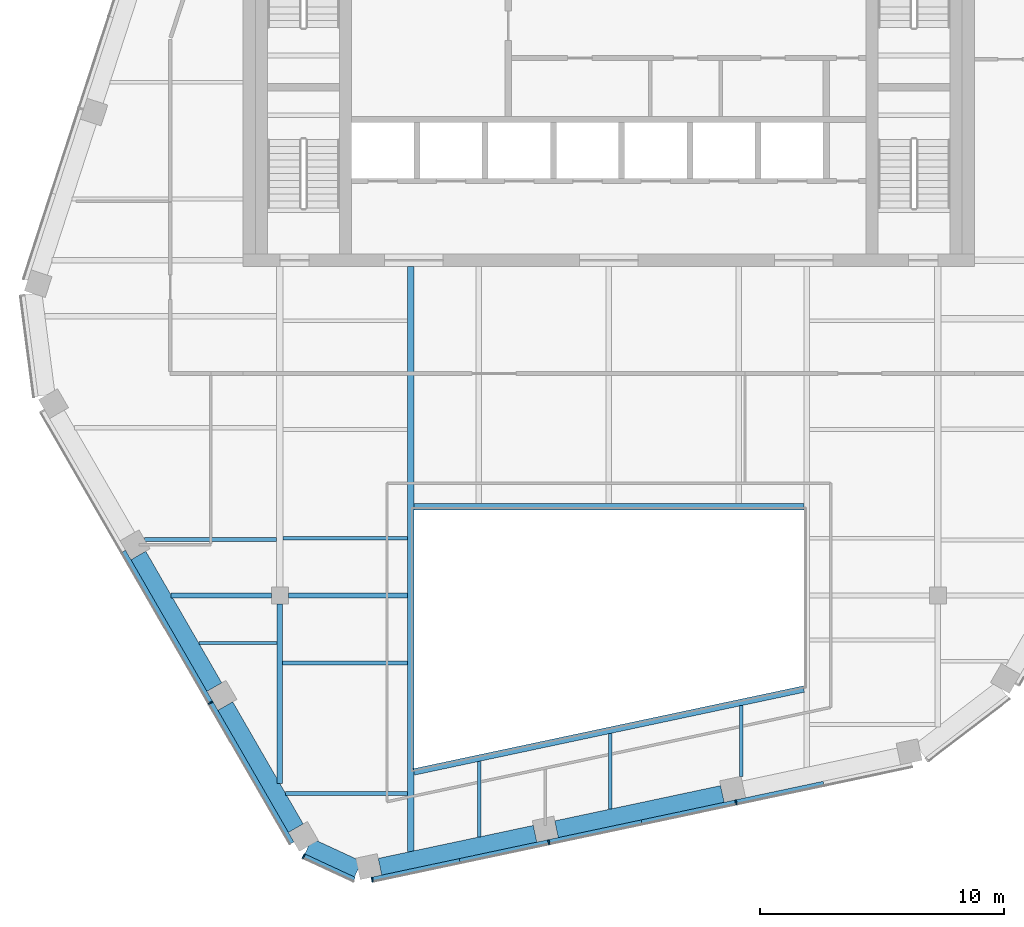
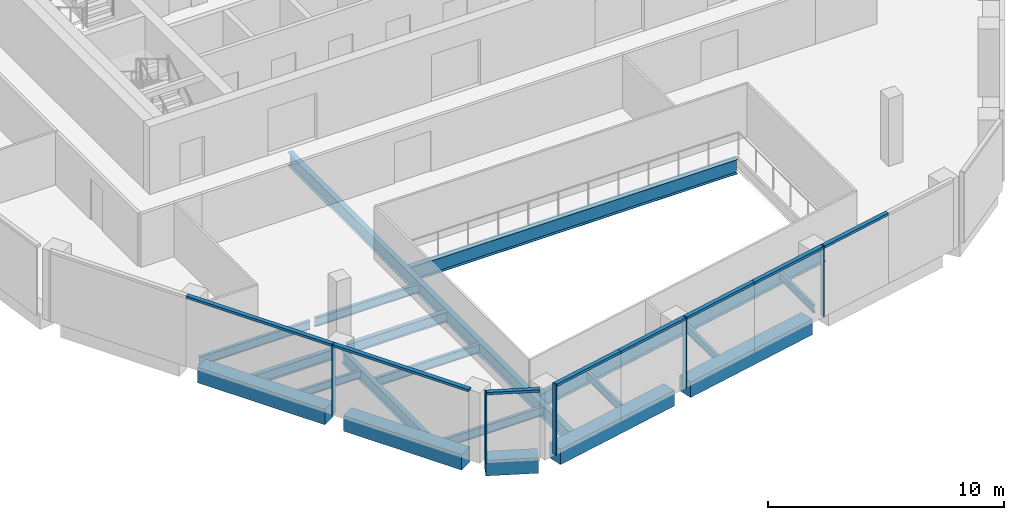
# One storey, part 2 of 15: 19 beams, 13 members, 3 elements without a shape of their own.
"""IFC4 building model written with IfcOpenShell, lengths in metres."""

import ifcopenshell
import ifcopenshell.guid

model = None  # the IFC model being written
_history = None  # IfcOwnerHistory: only IFC2X3 demands one
_inside = {}  # id of a spatial element -> (the spatial element, [elements in it])
_under = {}  # id of a project, library or spatial element -> (it, [spatial elements below it])
_declared = {}  # id of a project -> (the project, [libraries it declares])
_typed = {}  # id of a type object -> (the type object, [elements of that type])
_made_of = {}  # id of a material, layer set ... -> (it, [elements and type objects made of it])


def new_model(schema):
    """Start an empty IFC model of exactly this schema.

    Asked for "IFC4X3", IfcOpenShell would pick the latest addendum, in which some entities
    have other attributes; the version numbers below select the first issue.
    IFC2X3 requires an IfcOwnerHistory on every rooted entity: one is made here for all.
    """
    global model, _history
    if schema == "IFC4X3":
        model = ifcopenshell.file(schema_version=(4, 3, 0, 0))
    else:
        model = ifcopenshell.file(schema=schema)
    _inside.clear()
    _under.clear()
    _declared.clear()
    _typed.clear()
    _made_of.clear()
    _history = None
    if model.schema == "IFC2X3":
        org = make("IfcOrganization", Name="unknown")
        user = make(
            "IfcPersonAndOrganization",
            ThePerson=make("IfcPerson", FamilyName="unknown"),
            TheOrganization=org,
        )
        app = make(
            "IfcApplication",
            ApplicationDeveloper=org,
            Version="unknown",
            ApplicationFullName="unknown",
            ApplicationIdentifier="unknown",
        )
        _history = make(
            "IfcOwnerHistory",
            OwningUser=user,
            OwningApplication=app,
            ChangeAction="ADDED",
            CreationDate=0,
        )
    return model


def make(cls, **values):
    """One entity of the class cls with the attributes given. An attribute that is None is left unset."""
    return model.create_entity(
        cls, **{name: value for name, value in values.items() if value is not None}
    )


def rooted(cls, **values):
    """An entity with a GlobalId (a new one), such as an element, a storey or a relation."""
    return make(cls, GlobalId=ifcopenshell.guid.new(), OwnerHistory=_history, **values)


def si_unit(unit_type, name, prefix=None):
    """IfcSIUnit, for example si_unit("LENGTHUNIT", "METRE", prefix="MILLI")."""
    return make("IfcSIUnit", UnitType=unit_type, Prefix=prefix, Name=name)


def assignment(units):
    """IfcUnitAssignment: the units of a project."""
    return None if units is None else make("IfcUnitAssignment", Units=units)


def point(xyz):
    """IfcCartesianPoint."""
    return None if xyz is None else make("IfcCartesianPoint", Coordinates=xyz)


def direction(xyz):
    """IfcDirection."""
    return None if xyz is None else make("IfcDirection", DirectionRatios=xyz)


def frame(location, z_axis=None, x_axis=None):
    """IfcAxis2Placement3D, a coordinate frame: its origin and axes. An axis left out is left unset."""
    return make(
        "IfcAxis2Placement3D",
        Location=point(location),
        Axis=direction(z_axis),
        RefDirection=direction(x_axis),
    )


def frame_2d(location, x_axis=None):
    """IfcAxis2Placement2D, a coordinate frame in the plane: its origin and x axis."""
    return make(
        "IfcAxis2Placement2D", Location=point(location), RefDirection=direction(x_axis)
    )


def origin():
    """The frame at (0, 0, 0) with its axes left unset."""
    return frame((0.0, 0.0, 0.0))


def origin_2d():
    """The frame at (0, 0) in the plane with its x axis left unset."""
    return frame_2d((0.0, 0.0))


def place(relative_to, where):
    """IfcLocalPlacement: puts the frame where relative to a parent placement (None: the world)."""
    return make(
        "IfcLocalPlacement", PlacementRelTo=relative_to, RelativePlacement=where
    )


def context(
    kind, dimensions, precision=None, world=None, true_north=None, identifier=None
):
    """IfcGeometricRepresentationContext, for example the 3D "Model" context."""
    return make(
        "IfcGeometricRepresentationContext",
        ContextIdentifier=identifier,
        ContextType=kind,
        CoordinateSpaceDimension=dimensions,
        Precision=precision,
        WorldCoordinateSystem=world,
        TrueNorth=true_north,
    )


def subcontext(parent, identifier, kind, view, scale=None):
    """IfcGeometricRepresentationSubContext, for example "Body" below "Model"."""
    return make(
        "IfcGeometricRepresentationSubContext",
        ContextIdentifier=identifier,
        ContextType=kind,
        ParentContext=parent,
        TargetScale=scale,
        TargetView=view,
    )


def project(units=None, contexts=None):
    """IfcProject with its units and contexts."""
    return rooted(
        "IfcProject",
        Name="project",
        RepresentationContexts=contexts,
        UnitsInContext=assignment(units),
    )


def spatial(cls, under=None, at=None, **own):
    """A site, building, storey or space (cls), placed at a placement, below another one or the project."""
    s = rooted(cls, ObjectPlacement=at, **own)
    if under is not None:
        _under.setdefault(under.id(), (under, []))[1].append(s)
    return s


def profile(cls, at=None, kind="AREA", **sizes):
    """A parametric profile (cls). Its sizes go by their IFC names, for example OverallWidth=200.0."""
    return make(cls, ProfileType=kind, Position=at, **sizes)


def rectangle(**sizes):
    """IfcRectangleProfileDef."""
    return profile("IfcRectangleProfileDef", **sizes)


def i_section(**sizes):
    """IfcIShapeProfileDef."""
    return profile("IfcIShapeProfileDef", **sizes)


def extrude(swept, where, along, depth):
    """IfcExtrudedAreaSolid: the profile swept, set in the frame where, extruded along a direction by depth."""
    return make(
        "IfcExtrudedAreaSolid",
        SweptArea=swept,
        Position=where,
        ExtrudedDirection=direction(along),
        Depth=depth,
    )


def shape(context_of_items, identifier, shape_type, items):
    """IfcShapeRepresentation: the items that make up one representation, for example the "Body"."""
    return make(
        "IfcShapeRepresentation",
        ContextOfItems=context_of_items,
        RepresentationIdentifier=identifier,
        RepresentationType=shape_type,
        Items=items,
    )


def material(Name=None, Category=None):
    """IfcMaterial."""
    return make("IfcMaterial", Name=Name, Category=Category)


def layer(
    of_material, thickness, ventilated=None, Name=None, Category=None, Priority=None
):
    """IfcMaterialLayer: one layer of a wall or slab, of a material (None: an air gap)."""
    return make(
        "IfcMaterialLayer",
        Material=of_material,
        LayerThickness=thickness,
        IsVentilated=ventilated,
        Name=Name,
        Category=Category,
        Priority=Priority,
    )


def layer_set(layers, Name=None):
    """IfcMaterialLayerSet."""
    return make("IfcMaterialLayerSet", MaterialLayers=layers, LayerSetName=Name)


def material_profile(
    of_material, cross_section, Name=None, Category=None, Priority=None
):
    """IfcMaterialProfile: a cross section and its material."""
    return make(
        "IfcMaterialProfile",
        Name=Name,
        Material=of_material,
        Profile=cross_section,
        Priority=Priority,
        Category=Category,
    )


def profile_set(profiles, Name=None, composite=None):
    """IfcMaterialProfileSet."""
    return make(
        "IfcMaterialProfileSet",
        Name=Name,
        MaterialProfiles=profiles,
        CompositeProfile=composite,
    )


def made_of(thing, what):
    """Note that an element or type object is made of a material, layer set ...; save() writes the relation."""
    if what is not None:
        _made_of.setdefault(what.id(), (what, []))[1].append(thing)
    return thing


def type_object(cls, material=None, **own):
    """A type object (cls), such as IfcWallType, which elements share."""
    return made_of(rooted(cls, **own), material)


def element(
    cls,
    number,
    at=None,
    inside=None,
    cuts=None,
    type_object=None,
    material=None,
    context=None,
    identifier="Body",
    shape_type=None,
    held_by="IfcProductDefinitionShape",
    body=None,
    shapes=None,
    **own,
):
    """One element of the class cls, such as IfcWall. Its Tag is "e" and its number.

    at: its placement. inside: the storey or other place that contains it. cuts: it is an
    opening in that element (IfcRelVoidsElement). A single representation is given by context,
    identifier, shape_type and body (its items); several are given by shapes. held_by: the class
    of the entity that holds the representations. save() writes the other relations.
    """
    e = rooted(cls, Tag="e%d" % number, ObjectPlacement=at, **own)
    if body is not None:
        shapes = [shape(context, identifier, shape_type, body)]
    if shapes is not None:
        e.Representation = make(held_by, Representations=shapes)
    if inside is not None:
        _inside.setdefault(inside.id(), (inside, []))[1].append(e)
    if cuts is not None:
        rooted(
            "IfcRelVoidsElement", RelatingBuildingElement=cuts, RelatedOpeningElement=e
        )
    if type_object is not None:
        _typed.setdefault(type_object.id(), (type_object, []))[1].append(e)
    return made_of(e, material)


def aggregate(whole, parts):
    """IfcRelAggregates: a whole, such as a stair, and the parts it consists of."""
    return rooted("IfcRelAggregates", RelatingObject=whole, RelatedObjects=parts)


def save(model, path):
    """Write the relations noted so far, then the file.

    IfcRelAggregates (storeys below a building ...), IfcRelContainedInSpatialStructure (elements
    in a storey), IfcRelDefinesByType, IfcRelAssociatesMaterial and IfcRelDeclares: one each for
    every whole, place, type object, material and project.
    """
    for whole, parts in _under.values():
        aggregate(whole, parts)
    for where, things in _inside.values():
        rooted(
            "IfcRelContainedInSpatialStructure",
            RelatedElements=things,
            RelatingStructure=where,
        )
    for kind, things in _typed.values():
        rooted("IfcRelDefinesByType", RelatedObjects=things, RelatingType=kind)
    for what, things in _made_of.values():
        rooted("IfcRelAssociatesMaterial", RelatedObjects=things, RelatingMaterial=what)
    for by, libraries in _declared.values():
        rooted("IfcRelDeclares", RelatingContext=by, RelatedDefinitions=libraries)
    model.write(path)


model = new_model("IFC4")

# Units and contexts
model_context = context("Model", 3, precision=1e-05, world=origin(), true_north=direction((0.0, 1.0)))
body_context = subcontext(model_context, "Body", "Model", "MODEL_VIEW")
ifc_project = project(units=[si_unit("LENGTHUNIT", "METRE"), si_unit("AREAUNIT", "SQUARE_METRE"), si_unit("VOLUMEUNIT", "CUBIC_METRE"), si_unit("PLANEANGLEUNIT", "RADIAN"), si_unit("MASSUNIT", "GRAM", prefix="KILO")], contexts=[model_context])

# Site, building, storey
site_placement = place(None, origin())
site = spatial("IfcSite", under=ifc_project, at=site_placement, CompositionType="ELEMENT")
building_placement = place(site_placement, origin())
building = spatial("IfcBuilding", under=site, at=building_placement, Name="Isthmus Gate Tower", CompositionType="ELEMENT")
storey_placement = place(building_placement, frame((0.0, 0.0, 293.800048828125)))
storey = spatial("IfcBuildingStorey", under=building, at=storey_placement, Name="L75", CompositionType="ELEMENT", Elevation=293.800048828125)

# Curtain wall, member
ifc_material_1 = material(Name="Aluminium, pale champagne anodised", Category="aluminium")
ifc_layer = layer(ifc_material_1, 0.199951171875)
ifc_layer_set = layer_set([ifc_layer], Name="CW-1 UNITISED CURTAIN WALL 200 DEEP")
curtain_wall_type = type_object("IfcCurtainWallType", Name="CW-1 UNITISED CURTAIN WALL 200 DEEP", PredefinedType="NOTDEFINED", material=ifc_layer_set)
curtain_wall_1_placement = place(storey_placement, origin())
curtain_wall_1 = element("IfcCurtainWall", 1, at=curtain_wall_1_placement, inside=storey, type_object=curtain_wall_type, Name="CW-1 SW L75", PredefinedType="NOTDEFINED")
ifc_material_2 = material(Name="Aluminium, pale champagne anodised", Category="aluminium")
ifc_material_profile_1 = material_profile(ifc_material_2, rectangle(XDim=0.06005859375, YDim=0.199951171875, at=origin_2d()), Name="60x200")
ifc_profile_set_1 = profile_set([ifc_material_profile_1], Name="Aluminium, pale champagne anodised")
member_type_1 = type_object("IfcMemberType", Name="CW-1 MULLION 60 X 200", PredefinedType="MULLION", material=ifc_profile_set_1)
member_1_placement = place(storey_placement, frame((-16.33544921875, -17.90625, 0.0), z_axis=(0.0, 0.0, 1.0), x_axis=(0.5, -0.866025403784, 0.0)))
member_1 = element("IfcMember", 2, at=member_1_placement, type_object=member_type_1, Name="CW-1 mullion", PredefinedType="MULLION", context=body_context, shape_type="SweptSolid", body=[
    extrude(rectangle(XDim=0.06005859375, YDim=0.199951171875, at=origin_2d()), origin(), (0.0, 0.0, 1.0), 3.64990234375),
])

curtain_wall_2_placement = place(storey_placement, origin())
curtain_wall_2 = element("IfcCurtainWall", 3, at=curtain_wall_2_placement, inside=storey, type_object=curtain_wall_type, Name="CW-1 SW-S L75", PredefinedType="NOTDEFINED")
member_2_placement = place(storey_placement, frame((-12.519775390625, -24.201171875, 0.0), z_axis=(0.0, 0.0, 1.0), x_axis=(0.907256261367, -0.420578264073, 0.0)))
member_2 = element("IfcMember", 4, at=member_2_placement, type_object=member_type_1, Name="CW-1 mullion", PredefinedType="MULLION", context=body_context, shape_type="SweptSolid", body=[
    extrude(rectangle(XDim=0.06005859375, YDim=0.199951171875, at=origin_2d()), origin(), (0.0, 0.0, 1.0), 3.64990234375),
])

# Curtain wall, members
curtain_wall_3_placement = place(storey_placement, origin())
curtain_wall_3 = element("IfcCurtainWall", 5, at=curtain_wall_3_placement, inside=storey, type_object=curtain_wall_type, Name="CW-1 S L75", PredefinedType="NOTDEFINED")
member_3_placement = place(storey_placement, frame((-9.70703125, -25.16552734375, 0.0), z_axis=(0.0, 0.0, 1.0), x_axis=(0.978147600734, 0.207911690818, 0.0)))
member_3 = element("IfcMember", 6, at=member_3_placement, type_object=member_type_1, Name="CW-1 mullion", PredefinedType="MULLION", context=body_context, shape_type="SweptSolid", body=[
    extrude(rectangle(XDim=0.06005859375, YDim=0.199951171875, at=origin_2d()), origin(), (0.0, 0.0, 1.0), 3.64990234375),
])
member_4_placement = place(storey_placement, frame((-2.462158203125, -23.62548828125, 0.0), z_axis=(0.0, 0.0, 1.0), x_axis=(0.978147600734, 0.207911690818, 0.0)))
member_4 = element("IfcMember", 7, at=member_4_placement, type_object=member_type_1, Name="CW-1 mullion", PredefinedType="MULLION", context=body_context, shape_type="SweptSolid", body=[
    extrude(rectangle(XDim=0.06005859375, YDim=0.199951171875, at=origin_2d()), origin(), (0.0, 0.0, 1.0), 3.64990234375),
])
member_5_placement = place(storey_placement, frame((5.222900390625, -21.991943359375, 0.0), z_axis=(0.0, 0.0, 1.0), x_axis=(0.978147600734, 0.207911690818, 0.0)))
member_5 = element("IfcMember", 8, at=member_5_placement, type_object=member_type_1, Name="CW-1 mullion", PredefinedType="MULLION", context=body_context, shape_type="SweptSolid", body=[
    extrude(rectangle(XDim=0.06005859375, YDim=0.199951171875, at=origin_2d()), origin(), (0.0, 0.0, 1.0), 3.64990234375),
])

# Member
ifc_material_3 = material(Name="Aluminium, pale champagne anodised", Category="aluminium")
ifc_material_profile_2 = material_profile(ifc_material_3, rectangle(XDim=0.199951171875, YDim=0.1298828125, at=origin_2d()), Name="200x130")
ifc_profile_set_2 = profile_set([ifc_material_profile_2], Name="Aluminium, pale champagne anodised")
member_type_2 = type_object("IfcMemberType", Name="CW-1 TRANSOM 200 X 130", PredefinedType="USERDEFINED", material=ifc_profile_set_2)
member_6_placement = place(storey_placement, frame((-19.917724609375, -11.70166015625, 3.5849609375), z_axis=(0.500010763282, -0.866019189511, 0.0), x_axis=(0.866019189511, 0.500010763282, 0.0)))
member_6 = element("IfcMember", 9, at=member_6_placement, type_object=member_type_2, Name="CW-1 transom", ObjectType="TRANSOM", PredefinedType="USERDEFINED", context=body_context, shape_type="SweptSolid", body=[
    extrude(rectangle(XDim=0.199951171875, YDim=0.1298828125, at=origin_2d()), origin(), (0.0, 0.0, 1.0), 7.134521484375),
])

member_7_placement = place(storey_placement, frame((-16.3203125, -17.932373046875, 3.5849609375), z_axis=(0.500011702555, -0.866018647206, 0.0), x_axis=(0.866018647206, 0.500011702555, 0.0)))
member_7 = element("IfcMember", 10, at=member_7_placement, type_object=member_type_2, Name="CW-1 transom", ObjectType="TRANSOM", PredefinedType="USERDEFINED", context=body_context, shape_type="SweptSolid", body=[
    extrude(rectangle(XDim=0.199951171875, YDim=0.1298828125, at=origin_2d()), origin(), (0.0, 0.0, 1.0), 6.624267578125),
])

aggregate(curtain_wall_1, [member_6, member_1, member_7])

member_8_placement = place(storey_placement, frame((-12.49267578125, -24.213623046875, 3.5849609375), z_axis=(0.907246225564, -0.420599912268, 0.0), x_axis=(0.420599912268, 0.907246225564, 0.0)))
member_8 = element("IfcMember", 11, at=member_8_placement, type_object=member_type_2, Name="CW-1 transom", ObjectType="TRANSOM", PredefinedType="USERDEFINED", context=body_context, shape_type="SweptSolid", body=[
    extrude(rectangle(XDim=0.199951171875, YDim=0.1298828125, at=origin_2d()), origin(), (0.0, 0.0, 1.0), 2.258544921875),
])

aggregate(curtain_wall_2, [member_2, member_8])

member_9_placement = place(storey_placement, frame((-9.677734375, -25.1591796875, 3.5849609375), z_axis=(0.9781569775, 0.207867571707, 0.0), x_axis=(-0.207867571707, 0.9781569775, 0.0)))
member_9 = element("IfcMember", 12, at=member_9_placement, type_object=member_type_2, Name="CW-1 transom", ObjectType="TRANSOM", PredefinedType="USERDEFINED", context=body_context, shape_type="SweptSolid", body=[
    extrude(rectangle(XDim=0.199951171875, YDim=0.1298828125, at=origin_2d()), origin(), (0.0, 0.0, 1.0), 3.643310546875),
])

member_10_placement = place(storey_placement, frame((-6.114013671875, -24.40185546875, 3.5849609375), z_axis=(0.978146451283, 0.207917098487, 0.0), x_axis=(-0.207917098487, 0.978146451283, 0.0)))
member_10 = element("IfcMember", 13, at=member_10_placement, type_object=member_type_2, Name="CW-1 transom", ObjectType="TRANSOM", PredefinedType="USERDEFINED", context=body_context, shape_type="SweptSolid", body=[
    extrude(rectangle(XDim=0.199951171875, YDim=0.1298828125, at=origin_2d()), origin(), (0.0, 0.0, 1.0), 3.70361328125),
])

member_11_placement = place(storey_placement, frame((-2.432861328125, -23.619384765625, 3.5849609375), z_axis=(0.978140080964, 0.207947065409, 0.0), x_axis=(-0.207947065409, 0.978140080964, 0.0)))
member_11 = element("IfcMember", 14, at=member_11_placement, type_object=member_type_2, Name="CW-1 transom", ObjectType="TRANSOM", PredefinedType="USERDEFINED", context=body_context, shape_type="SweptSolid", body=[
    extrude(rectangle(XDim=0.199951171875, YDim=0.1298828125, at=origin_2d()), origin(), (0.0, 0.0, 1.0), 3.868408203125),
])

member_12_placement = place(storey_placement, frame((1.35107421875, -22.81494140625, 3.5849609375), z_axis=(0.978153006411, 0.207886257478, 0.0), x_axis=(-0.207886257478, 0.978153006411, 0.0)))
member_12 = element("IfcMember", 15, at=member_12_placement, type_object=member_type_2, Name="CW-1 transom", ObjectType="TRANSOM", PredefinedType="USERDEFINED", context=body_context, shape_type="SweptSolid", body=[
    extrude(rectangle(XDim=0.199951171875, YDim=0.1298828125, at=origin_2d()), origin(), (0.0, 0.0, 1.0), 3.928466796875),
])

member_13_placement = place(storey_placement, frame((5.25244140625, -21.98583984375, 3.5849609375), z_axis=(0.978143350472, 0.207931685724, 0.0), x_axis=(-0.207931685724, 0.978143350472, 0.0)))
member_13 = element("IfcMember", 16, at=member_13_placement, type_object=member_type_2, Name="CW-1 transom", ObjectType="TRANSOM", PredefinedType="USERDEFINED", context=body_context, shape_type="SweptSolid", body=[
    extrude(rectangle(XDim=0.199951171875, YDim=0.1298828125, at=origin_2d()), origin(), (0.0, 0.0, 1.0), 3.643310546875),
])

aggregate(curtain_wall_3, [member_3, member_9, member_10, member_4, member_11, member_12, member_5, member_13])

# Beams
ifc_material_4 = material(Name="Concrete f'c 50 MPa", Category="concrete")
ifc_material_profile_3 = material_profile(ifc_material_4, rectangle(XDim=0.699951171875, YDim=0.800048828125, at=origin_2d()), Name="RC 700X800")
ifc_profile_set_3 = profile_set([ifc_material_profile_3], Name="Concrete f'c 50 MPa")
beam_type_1 = type_object("IfcBeamType", Name="RC SPANDREL 700 X 800", PredefinedType="SPANDREL", material=ifc_profile_set_3)
beam_1_placement = place(storey_placement, frame((4.659912109375, -21.651611328125, -0.400146484375), z_axis=(-0.978143150477, -0.207932626528, 0.0), x_axis=(0.207932626528, -0.978143150477, 0.0)))
element("IfcBeam", 17, at=beam_1_placement, inside=storey, type_object=beam_type_1, Name="str-spandrel-L75-10", PredefinedType="SPANDREL", context=body_context, shape_type="SweptSolid", body=[
    extrude(rectangle(XDim=0.699951171875, YDim=0.800048828125, at=origin_2d()), origin(), (0.0, 0.0, 1.0), 6.956787109375),
])
beam_2_placement = place(storey_placement, frame((-3.025146484375, -23.28515625, -0.400146484375), z_axis=(-0.97815026796, -0.207899142108, 0.0), x_axis=(0.207899142108, -0.97815026796, 0.0)))
element("IfcBeam", 18, at=beam_2_placement, inside=storey, type_object=beam_type_1, Name="str-spandrel-L75-11", PredefinedType="SPANDREL", context=body_context, shape_type="SweptSolid", body=[
    extrude(rectangle(XDim=0.699951171875, YDim=0.800048828125, at=origin_2d()), origin(), (0.0, 0.0, 1.0), 6.5068359375),
])
beam_3_placement = place(storey_placement, frame((-10.288330078125, -24.739501953125, -0.400146484375), z_axis=(-0.907254968276, 0.42058105347, 0.0), x_axis=(-0.42058105347, -0.907254968276, 0.0)))
element("IfcBeam", 19, at=beam_3_placement, inside=storey, type_object=beam_type_1, Name="str-spandrel-L75-12", PredefinedType="SPANDREL", context=body_context, shape_type="SweptSolid", body=[
    extrude(rectangle(XDim=0.699951171875, YDim=0.800048828125, at=origin_2d()), origin(), (0.0, 0.0, 1.0), 2.245849609375),
])
beam_4_placement = place(storey_placement, frame((-12.843505859375, -23.0546875, -0.400146484375), z_axis=(-0.499961143711, 0.866047836311, 0.0), x_axis=(-0.866047836311, -0.499961143711, 0.0)))
element("IfcBeam", 20, at=beam_4_placement, inside=storey, type_object=beam_type_1, Name="str-spandrel-L75-13", PredefinedType="SPANDREL", context=body_context, shape_type="SweptSolid", body=[
    extrude(rectangle(XDim=0.699951171875, YDim=0.800048828125, at=origin_2d()), origin(), (0.0, 0.0, 1.0), 5.78466796875),
])
beam_5_placement = place(storey_placement, frame((-16.185791015625, -17.265625, -0.400146484375), z_axis=(-0.499997027648, 0.866027119866, 0.0), x_axis=(-0.866027119866, -0.499997027648, 0.0)))
element("IfcBeam", 21, at=beam_5_placement, inside=storey, type_object=beam_type_1, Name="str-spandrel-L75-14", PredefinedType="SPANDREL", context=body_context, shape_type="SweptSolid", body=[
    extrude(rectangle(XDim=0.699951171875, YDim=0.800048828125, at=origin_2d()), origin(), (0.0, 0.0, 1.0), 6.234375),
])
ifc_material_5 = material(Name="Structural steel ASTM A992 Gr 50", Category="steel")
ifc_material_profile_4 = material_profile(ifc_material_5, i_section(OverallWidth=0.1396484375, OverallDepth=0.4033203125, WebThickness=0.00634765625, FlangeThickness=0.010986328125, at=origin_2d()), Name="W16X31")
ifc_profile_set_4 = profile_set([ifc_material_profile_4], Name="Structural steel ASTM A992 Gr 50")
beam_type_2 = type_object("IfcBeamType", Name="STEEL FLOOR BEAM W16X31", PredefinedType="JOIST", material=ifc_profile_set_4)
beam_6_placement = place(storey_placement, frame((-16.824951171875, -15.45849609375, -0.3515625), z_axis=(1.0, 0.0, 0.0), x_axis=(0.0, 1.0, 0.0)))
element("IfcBeam", 22, at=beam_6_placement, inside=storey, type_object=beam_type_2, Name="str-beam-L75-02-00", PredefinedType="JOIST", context=body_context, shape_type="SweptSolid", body=[
    extrude(i_section(OverallWidth=0.1396484375, OverallDepth=0.4033203125, WebThickness=0.00634765625, FlangeThickness=0.010986328125, at=origin_2d()), origin(), (0.0, 0.0, 1.0), 3.210693359375),
])
for number, where, z_axis, x_axis, name in (
    (23, (-5.314208984375, -23.4140625, -0.3515625), (0.0, 1.0, 0.0), (-1.0, 0.0, 0.0), "str-beam-L75-05-00"),
    (24, (0.05712890625, -22.272216796875, -0.3515625), (0.0, 1.0, 0.0), (-1.0, 0.0, 0.0), "str-beam-L75-05-01"),
):
    element("IfcBeam", number, at=place(storey_placement, frame(where, z_axis=z_axis, x_axis=x_axis)), inside=storey, type_object=beam_type_2, Name=name, PredefinedType="JOIST", context=body_context, shape_type="SweptSolid", body=[
        extrude(i_section(OverallWidth=0.1396484375, OverallDepth=0.4033203125, WebThickness=0.00634765625, FlangeThickness=0.010986328125, at=origin_2d()), origin(), (0.0, 0.0, 1.0), 3.10107421875),
    ])
beam_7_placement = place(storey_placement, frame((5.428466796875, -20.939208984375, -0.3515625), z_axis=(0.0, 1.0, 0.0), x_axis=(-1.0, 0.0, 0.0)))
element("IfcBeam", 25, at=beam_7_placement, inside=storey, type_object=beam_type_2, Name="str-beam-L75-05-02", PredefinedType="JOIST", context=body_context, shape_type="SweptSolid", body=[
    extrude(i_section(OverallWidth=0.1396484375, OverallDepth=0.4033203125, WebThickness=0.00634765625, FlangeThickness=0.010986328125, at=origin_2d()), origin(), (0.0, 0.0, 1.0), 2.909912109375),
])
ifc_material_6 = material(Name="Structural steel ASTM A992 Gr 50", Category="steel")
ifc_material_profile_5 = material_profile(ifc_material_6, i_section(OverallWidth=0.15234375, OverallDepth=0.45068359375, WebThickness=0.0078125, FlangeThickness=0.010986328125, at=origin_2d()), Name="W18X35")
ifc_profile_set_5 = profile_set([ifc_material_profile_5], Name="Structural steel ASTM A992 Gr 50")
beam_type_3 = type_object("IfcBeamType", Name="STEEL FLOOR BEAM W18X35", PredefinedType="JOIST", material=ifc_profile_set_5)
beam_8_placement = place(storey_placement, frame((-19.0478515625, -11.208251953125, -0.37548828125), z_axis=(1.0, 0.0, 0.0), x_axis=(0.0, 1.0, 0.0)))
element("IfcBeam", 26, at=beam_8_placement, inside=storey, type_object=beam_type_3, Name="str-beam-L75-01-00", PredefinedType="JOIST", context=body_context, shape_type="SweptSolid", body=[
    extrude(i_section(OverallWidth=0.15234375, OverallDepth=0.45068359375, WebThickness=0.0078125, FlangeThickness=0.010986328125, at=origin_2d()), origin(), (0.0, 0.0, 1.0), 5.416015625),
])
beam_9_placement = place(storey_placement, frame((-13.3681640625, -11.16259765625, -0.37548828125), z_axis=(1.0, 0.0, 0.0), x_axis=(0.0, 1.0, 0.0)))
element("IfcBeam", 27, at=beam_9_placement, inside=storey, type_object=beam_type_3, Name="str-beam-L75-03-00", PredefinedType="JOIST", context=body_context, shape_type="SweptSolid", body=[
    extrude(i_section(OverallWidth=0.15234375, OverallDepth=0.45068359375, WebThickness=0.0078125, FlangeThickness=0.010986328125, at=origin_2d()), origin(), (0.0, 0.0, 1.0), 5.1142578125),
])
beam_10_placement = place(storey_placement, frame((-13.2587890625, -21.635009765625, -0.37548828125), z_axis=(1.0, 0.0, 0.0), x_axis=(0.0, 1.0, 0.0)))
element("IfcBeam", 28, at=beam_10_placement, inside=storey, type_object=beam_type_3, Name="str-beam-L75-04-00", PredefinedType="JOIST", context=body_context, shape_type="SweptSolid", body=[
    extrude(i_section(OverallWidth=0.15234375, OverallDepth=0.45068359375, WebThickness=0.0078125, FlangeThickness=0.010986328125, at=origin_2d()), origin(), (0.0, 0.0, 1.0), 5.0048828125),
])
beam_11_placement = place(storey_placement, frame((-13.3857421875, -16.281494140625, -0.37548828125), z_axis=(1.0, 0.0, 0.0), x_axis=(0.0, 1.0, 0.0)))
element("IfcBeam", 29, at=beam_11_placement, inside=storey, type_object=beam_type_3, Name="str-beam-L75-04-01", PredefinedType="JOIST", context=body_context, shape_type="SweptSolid", body=[
    extrude(i_section(OverallWidth=0.15234375, OverallDepth=0.45068359375, WebThickness=0.0078125, FlangeThickness=0.010986328125, at=origin_2d()), origin(), (0.0, 0.0, 1.0), 5.1318359375),
])
ifc_material_7 = material(Name="Structural steel ASTM A992 Gr 50", Category="steel")
ifc_material_profile_6 = material_profile(ifc_material_7, i_section(OverallWidth=0.20947265625, OverallDepth=0.533447265625, WebThickness=0.009521484375, FlangeThickness=0.015869140625, at=origin_2d()), Name="W21X62")
ifc_profile_set_6 = profile_set([ifc_material_profile_6], Name="Structural steel ASTM A992 Gr 50")
beam_type_4 = type_object("IfcBeamType", Name="STEEL GIRDER W21X62", PredefinedType="BEAM", material=ifc_profile_set_6)
beam_12_placement = place(storey_placement, frame((-17.95556640625, -13.5, -0.416748046875), z_axis=(1.0, 0.0, 0.0), x_axis=(0.0, 1.0, 0.0)))
element("IfcBeam", 30, at=beam_12_placement, inside=storey, type_object=beam_type_4, Name="str-girder-L75-01", PredefinedType="BEAM", context=body_context, shape_type="SweptSolid", body=[
    extrude(i_section(OverallWidth=0.20947265625, OverallDepth=0.533447265625, WebThickness=0.009521484375, FlangeThickness=0.015869140625, at=origin_2d()), origin(), (0.0, 0.0, 1.0), 4.10546875),
])
beam_13_placement = place(storey_placement, frame((-13.14990234375, -13.5, -0.416748046875), z_axis=(1.0, 0.0, 0.0), x_axis=(0.0, 1.0, 0.0)))
element("IfcBeam", 31, at=beam_13_placement, inside=storey, type_object=beam_type_4, Name="str-girder-L75-02", PredefinedType="BEAM", context=body_context, shape_type="SweptSolid", body=[
    extrude(i_section(OverallWidth=0.20947265625, OverallDepth=0.533447265625, WebThickness=0.009521484375, FlangeThickness=0.015869140625, at=origin_2d()), origin(), (0.0, 0.0, 1.0), 4.89599609375),
])
ifc_material_8 = material(Name="Structural steel ASTM A992 Gr 50", Category="steel")
ifc_material_profile_7 = material_profile(ifc_material_8, i_section(OverallWidth=0.228515625, OverallDepth=0.603271484375, WebThickness=0.010986328125, FlangeThickness=0.014404296875, at=origin_2d()), Name="W24X68")
ifc_profile_set_7 = profile_set([ifc_material_profile_7], Name="Structural steel ASTM A992 Gr 50")
beam_type_5 = type_object("IfcBeamType", Name="STEEL GIRDER W24X68", PredefinedType="BEAM", material=ifc_profile_set_7)
beam_14_placement = place(storey_placement, frame((-13.5, -21.21728515625, -0.45166015625), z_axis=(0.0, 1.0, 0.0), x_axis=(-1.0, 0.0, 0.0)))
element("IfcBeam", 32, at=beam_14_placement, inside=storey, type_object=beam_type_5, Name="str-girder-L75-05", PredefinedType="BEAM", context=body_context, shape_type="SweptSolid", body=[
    extrude(i_section(OverallWidth=0.228515625, OverallDepth=0.603271484375, WebThickness=0.010986328125, FlangeThickness=0.014404296875, at=origin_2d()), origin(), (0.0, 0.0, 1.0), 7.3671875),
])
ifc_material_9 = material(Name="Structural steel ASTM A992 Gr 50", Category="steel")
ifc_material_profile_8 = material_profile(ifc_material_9, i_section(OverallWidth=0.25390625, OverallDepth=0.679443359375, WebThickness=0.010986328125, FlangeThickness=0.015869140625, at=origin_2d()), Name="W27X84")
ifc_profile_set_8 = profile_set([ifc_material_profile_8], Name="Structural steel ASTM A992 Gr 50")
beam_type_6 = type_object("IfcBeamType", Name="STEEL TRIMMER W27X84", PredefinedType="BEAM", material=ifc_profile_set_8)
beam_15_placement = place(storey_placement, frame((-8.126953125, 0.0, -0.48974609375), z_axis=(0.0, -1.0, 0.0), x_axis=(1.0, 0.0, 0.0)))
element("IfcBeam", 33, at=beam_15_placement, inside=storey, type_object=beam_type_6, Name="str-trimmer-L75-02", PredefinedType="BEAM", context=body_context, shape_type="SweptSolid", body=[
    extrude(i_section(OverallWidth=0.25390625, OverallDepth=0.679443359375, WebThickness=0.010986328125, FlangeThickness=0.015869140625, at=origin_2d()), origin(), (0.0, 0.0, 1.0), 24.01171875),
])
ifc_material_10 = material(Name="Structural steel ASTM A992 Gr 50", Category="steel")
ifc_material_profile_9 = material_profile(ifc_material_10, i_section(OverallWidth=0.2666015625, OverallDepth=0.7587890625, WebThickness=0.014404296875, FlangeThickness=0.01904296875, at=origin_2d()), Name="W30X108")
ifc_profile_set_9 = profile_set([ifc_material_profile_9], Name="Structural steel ASTM A992 Gr 50")
beam_type_7 = type_object("IfcBeamType", Name="STEEL TRIMMER W30X108", PredefinedType="BEAM", material=ifc_profile_set_9)
beam_16_placement = place(storey_placement, frame((-8.0, -20.747314453125, -0.529541015625), z_axis=(0.978147924985, 0.20791016533, 0.0), x_axis=(-0.20791016533, 0.978147924985, 0.0)))
element("IfcBeam", 34, at=beam_16_placement, inside=storey, type_object=beam_type_7, Name="str-trimmer-L75-03", PredefinedType="BEAM", context=body_context, shape_type="SweptSolid", body=[
    extrude(i_section(OverallWidth=0.2666015625, OverallDepth=0.7587890625, WebThickness=0.014404296875, FlangeThickness=0.01904296875, at=origin_2d()), origin(), (0.0, 0.0, 1.0), 16.357421875),
])
beam_17_placement = place(storey_placement, frame((8.0, -9.86669921875, -0.529541015625), z_axis=(-1.0, 0.0, 0.0), x_axis=(0.0, -1.0, 0.0)))
element("IfcBeam", 35, at=beam_17_placement, inside=storey, type_object=beam_type_7, Name="str-trimmer-L75-04", PredefinedType="BEAM", context=body_context, shape_type="SweptSolid", body=[
    extrude(i_section(OverallWidth=0.2666015625, OverallDepth=0.7587890625, WebThickness=0.014404296875, FlangeThickness=0.01904296875, at=origin_2d()), origin(), (0.0, 0.0, 1.0), 16.0),
])

save(model, "model.ifc")
